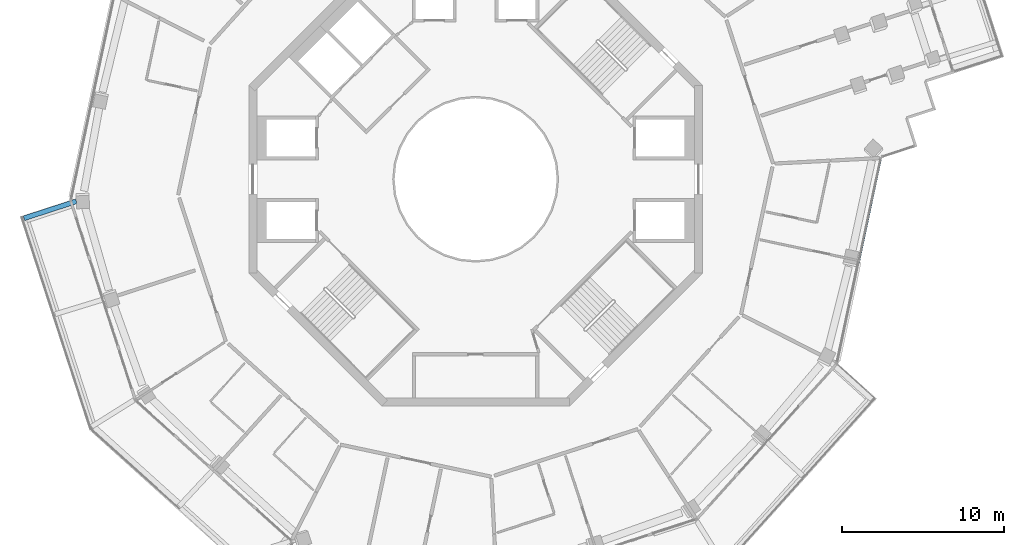
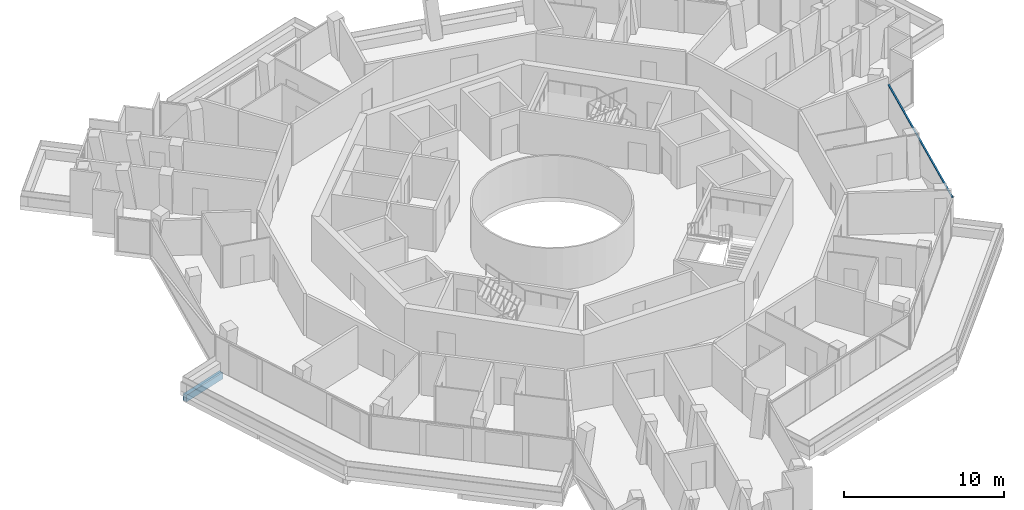
# One storey, part 5 of 22: 1 beam, 1 member, 1 element without a shape of its own.
"""IFC4 building model written with IfcOpenShell, lengths in metres."""

from ifc_helpers import new_model, si_unit, direction, frame, origin, origin_2d, place, context, subcontext, project, spatial, rectangle, extrude, material, layer, layer_set, material_profile, profile_set, type_object, element, aggregate, save


model = new_model("IFC4")

# Units and contexts
model_context = context("Model", 3, precision=1e-05, world=origin(), true_north=direction((0.0, 1.0)))
body_context = subcontext(model_context, "Body", "Model", "MODEL_VIEW")
ifc_project = project(units=[si_unit("LENGTHUNIT", "METRE"), si_unit("AREAUNIT", "SQUARE_METRE"), si_unit("VOLUMEUNIT", "CUBIC_METRE"), si_unit("PLANEANGLEUNIT", "RADIAN"), si_unit("MASSUNIT", "GRAM", prefix="KILO")], contexts=[model_context])

# Site, building, storey
site_placement = place(None, origin())
site = spatial("IfcSite", under=ifc_project, at=site_placement, CompositionType="ELEMENT")
building_placement = place(site_placement, origin())
building = spatial("IfcBuilding", under=site, at=building_placement, Name="Verdalira Terraces Hotel", CompositionType="ELEMENT")
storey_placement = place(building_placement, frame((0.0, 0.0, 230.5)))
storey = spatial("IfcBuildingStorey", under=building, at=storey_placement, Name="L56", CompositionType="ELEMENT", Elevation=230.5)

# Beam
ifc_material_1 = material(Name="Concrete C40", Category="concrete")
ifc_material_profile_1 = material_profile(ifc_material_1, rectangle(XDim=0.300049, YDim=0.5, at=origin_2d()), Name="RC 300X500")
ifc_profile_set_1 = profile_set([ifc_material_profile_1], Name="Concrete C40")
beam_type = type_object("IfcBeamType", Name="Balcony cantilever beam RC 300X500 C40", PredefinedType="BEAM", material=ifc_profile_set_1)
beam_placement = place(storey_placement, frame((-24.649902, -1.363525, -0.560059), z_axis=(-0.95103777, -0.309074685, 0.0), x_axis=(0.309074685, -0.95103777, 0.0)))
element("IfcBeam", 1, at=beam_placement, inside=storey, type_object=beam_type, Name="Balcony cantilever beam R12-3", PredefinedType="BEAM", context=body_context, shape_type="SweptSolid", body=[
    extrude(rectangle(XDim=0.300049, YDim=0.5, at=origin_2d()), origin(), (0.0, 0.0, 1.0), 3.393555),
])

# Curtain wall, member
ifc_material_2 = material(Name="Clear glass", Category="glass")
ifc_layer = layer(ifc_material_2, 0.14990234375)
ifc_layer_set = layer_set([ifc_layer], Name="CW1 curtain wall")
curtain_wall_type = type_object("IfcCurtainWallType", Name="CW1 curtain wall", PredefinedType="NOTDEFINED", material=ifc_layer_set)
curtain_wall_placement = place(storey_placement, origin())
curtain_wall = element("IfcCurtainWall", 2, at=curtain_wall_placement, inside=storey, type_object=curtain_wall_type, Name="CW1 curtain wall L56 edge 27", PredefinedType="NOTDEFINED")
ifc_material_3 = material(Name="Terracotta frame", Category="masonry")
ifc_material_profile_2 = material_profile(ifc_material_3, rectangle(XDim=0.110107, YDim=0.064941, at=origin_2d()), Name="TR 65x110")
ifc_profile_set_2 = profile_set([ifc_material_profile_2], Name="Terracotta frame")
member_type = type_object("IfcMemberType", Name="CW1 transom 65x110", PredefinedType="USERDEFINED", material=ifc_profile_set_2)
member_placement = place(storey_placement, frame((22.311768, -11.34668, 2.557617), z_axis=(0.207915532, 0.978146784, 0.0), x_axis=(-0.978146784, 0.207915532, 0.0)))
member = element("IfcMember", 3, at=member_placement, type_object=member_type, Name="CW1 transom", ObjectType="TRANSOM", PredefinedType="USERDEFINED", context=body_context, shape_type="SweptSolid", body=[
    extrude(rectangle(XDim=0.110107, YDim=0.064941, at=origin_2d()), origin(), (0.0, 0.0, 1.0), 12.959961),
])
aggregate(curtain_wall, [member])

save(model, "model.ifc")
